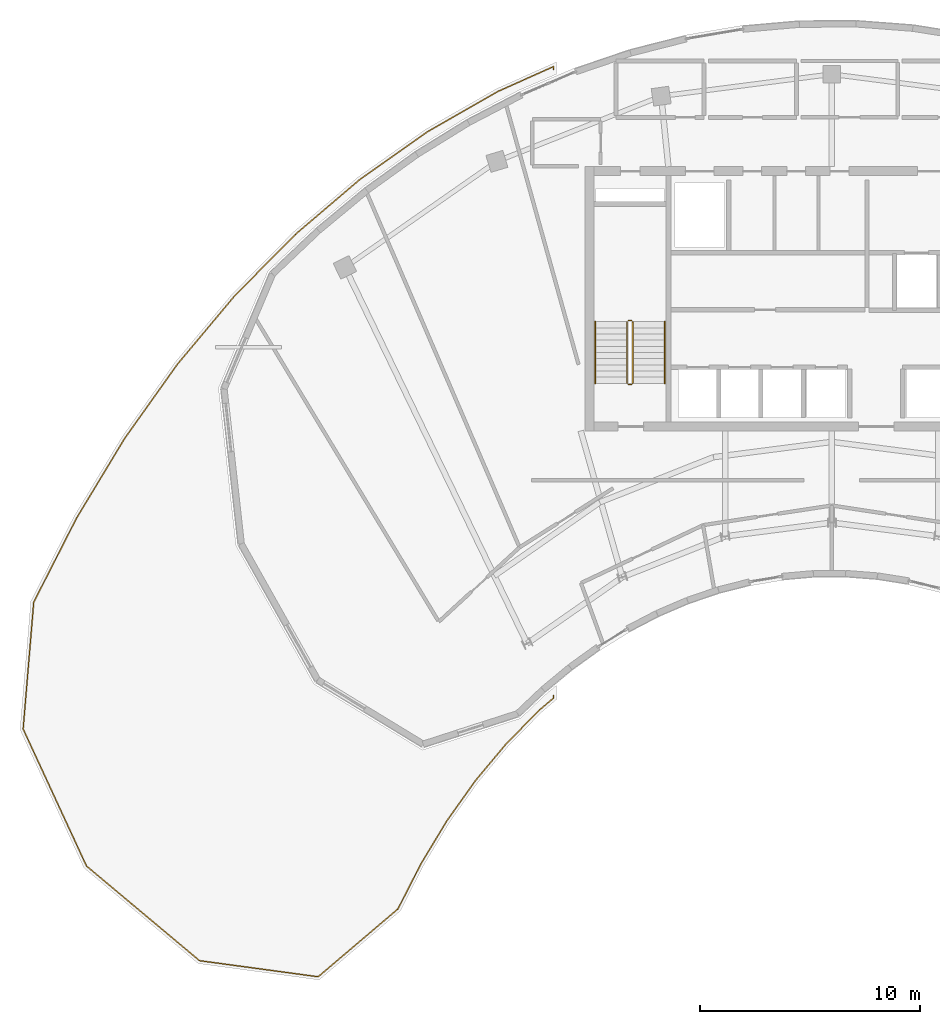
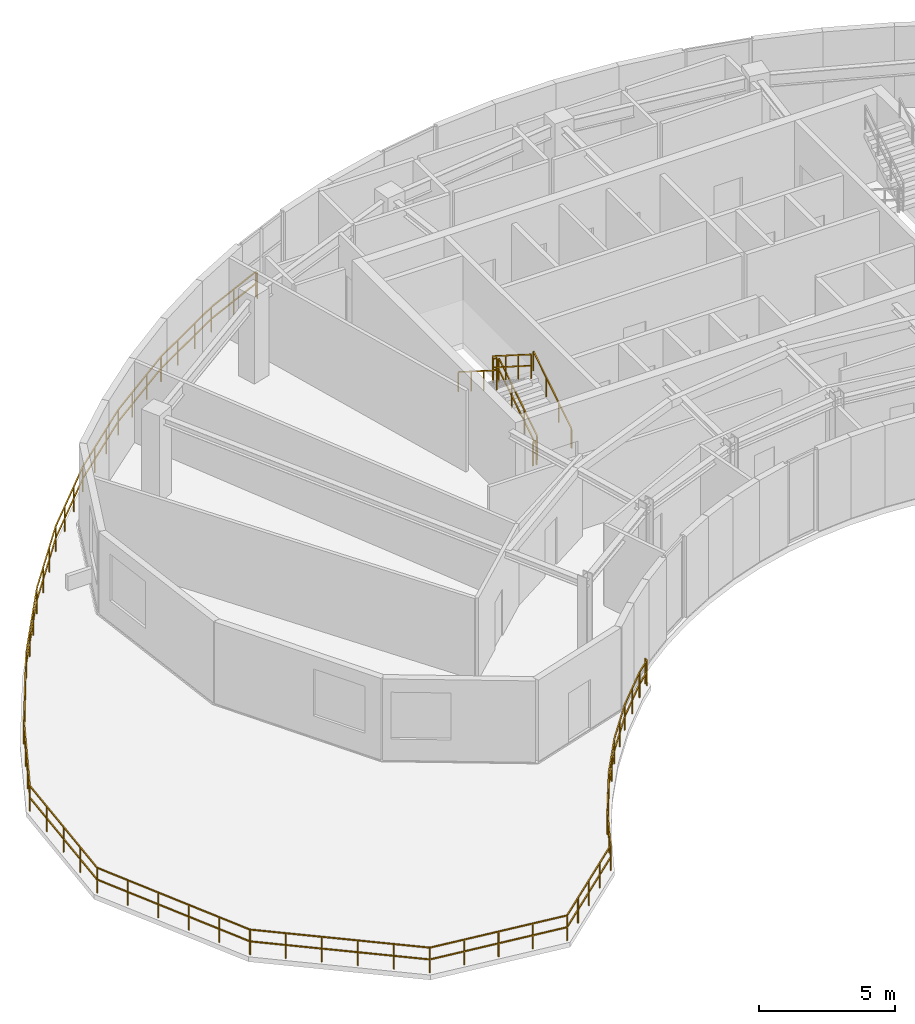
# One storey, part 10 of 11: 10 railings.
"""IFC4 building model written with IfcOpenShell, lengths in metres."""

import ifcopenshell
import ifcopenshell.guid

model = None  # the IFC model being written
_history = None  # IfcOwnerHistory: only IFC2X3 demands one
_inside = {}  # id of a spatial element -> (the spatial element, [elements in it])
_under = {}  # id of a project, library or spatial element -> (it, [spatial elements below it])
_declared = {}  # id of a project -> (the project, [libraries it declares])
_typed = {}  # id of a type object -> (the type object, [elements of that type])
_made_of = {}  # id of a material, layer set ... -> (it, [elements and type objects made of it])


def new_model(schema):
    """Start an empty IFC model of exactly this schema.

    Asked for "IFC4X3", IfcOpenShell would pick the latest addendum, in which some entities
    have other attributes; the version numbers below select the first issue.
    IFC2X3 requires an IfcOwnerHistory on every rooted entity: one is made here for all.
    """
    global model, _history
    if schema == "IFC4X3":
        model = ifcopenshell.file(schema_version=(4, 3, 0, 0))
    else:
        model = ifcopenshell.file(schema=schema)
    _inside.clear()
    _under.clear()
    _declared.clear()
    _typed.clear()
    _made_of.clear()
    _history = None
    if model.schema == "IFC2X3":
        org = make("IfcOrganization", Name="unknown")
        user = make(
            "IfcPersonAndOrganization",
            ThePerson=make("IfcPerson", FamilyName="unknown"),
            TheOrganization=org,
        )
        app = make(
            "IfcApplication",
            ApplicationDeveloper=org,
            Version="unknown",
            ApplicationFullName="unknown",
            ApplicationIdentifier="unknown",
        )
        _history = make(
            "IfcOwnerHistory",
            OwningUser=user,
            OwningApplication=app,
            ChangeAction="ADDED",
            CreationDate=0,
        )
    return model


def make(cls, **values):
    """One entity of the class cls with the attributes given. An attribute that is None is left unset."""
    return model.create_entity(
        cls, **{name: value for name, value in values.items() if value is not None}
    )


def rooted(cls, **values):
    """An entity with a GlobalId (a new one), such as an element, a storey or a relation."""
    return make(cls, GlobalId=ifcopenshell.guid.new(), OwnerHistory=_history, **values)


def si_unit(unit_type, name, prefix=None):
    """IfcSIUnit, for example si_unit("LENGTHUNIT", "METRE", prefix="MILLI")."""
    return make("IfcSIUnit", UnitType=unit_type, Prefix=prefix, Name=name)


def assignment(units):
    """IfcUnitAssignment: the units of a project."""
    return None if units is None else make("IfcUnitAssignment", Units=units)


def point(xyz):
    """IfcCartesianPoint."""
    return None if xyz is None else make("IfcCartesianPoint", Coordinates=xyz)


def direction(xyz):
    """IfcDirection."""
    return None if xyz is None else make("IfcDirection", DirectionRatios=xyz)


def frame(location, z_axis=None, x_axis=None):
    """IfcAxis2Placement3D, a coordinate frame: its origin and axes. An axis left out is left unset."""
    return make(
        "IfcAxis2Placement3D",
        Location=point(location),
        Axis=direction(z_axis),
        RefDirection=direction(x_axis),
    )


def frame_2d(location, x_axis=None):
    """IfcAxis2Placement2D, a coordinate frame in the plane: its origin and x axis."""
    return make(
        "IfcAxis2Placement2D", Location=point(location), RefDirection=direction(x_axis)
    )


def origin():
    """The frame at (0, 0, 0) with its axes left unset."""
    return frame((0.0, 0.0, 0.0))


def origin_2d():
    """The frame at (0, 0) in the plane with its x axis left unset."""
    return frame_2d((0.0, 0.0))


def place(relative_to, where):
    """IfcLocalPlacement: puts the frame where relative to a parent placement (None: the world)."""
    return make(
        "IfcLocalPlacement", PlacementRelTo=relative_to, RelativePlacement=where
    )


def context(
    kind, dimensions, precision=None, world=None, true_north=None, identifier=None
):
    """IfcGeometricRepresentationContext, for example the 3D "Model" context."""
    return make(
        "IfcGeometricRepresentationContext",
        ContextIdentifier=identifier,
        ContextType=kind,
        CoordinateSpaceDimension=dimensions,
        Precision=precision,
        WorldCoordinateSystem=world,
        TrueNorth=true_north,
    )


def subcontext(parent, identifier, kind, view, scale=None):
    """IfcGeometricRepresentationSubContext, for example "Body" below "Model"."""
    return make(
        "IfcGeometricRepresentationSubContext",
        ContextIdentifier=identifier,
        ContextType=kind,
        ParentContext=parent,
        TargetScale=scale,
        TargetView=view,
    )


def project(units=None, contexts=None):
    """IfcProject with its units and contexts."""
    return rooted(
        "IfcProject",
        Name="project",
        RepresentationContexts=contexts,
        UnitsInContext=assignment(units),
    )


def spatial(cls, under=None, at=None, **own):
    """A site, building, storey or space (cls), placed at a placement, below another one or the project."""
    s = rooted(cls, ObjectPlacement=at, **own)
    if under is not None:
        _under.setdefault(under.id(), (under, []))[1].append(s)
    return s


def profile(cls, at=None, kind="AREA", **sizes):
    """A parametric profile (cls). Its sizes go by their IFC names, for example OverallWidth=200.0."""
    return make(cls, ProfileType=kind, Position=at, **sizes)


def rectangle(**sizes):
    """IfcRectangleProfileDef."""
    return profile("IfcRectangleProfileDef", **sizes)


def extrude(swept, where, along, depth):
    """IfcExtrudedAreaSolid: the profile swept, set in the frame where, extruded along a direction by depth."""
    return make(
        "IfcExtrudedAreaSolid",
        SweptArea=swept,
        Position=where,
        ExtrudedDirection=direction(along),
        Depth=depth,
    )


def shape(context_of_items, identifier, shape_type, items):
    """IfcShapeRepresentation: the items that make up one representation, for example the "Body"."""
    return make(
        "IfcShapeRepresentation",
        ContextOfItems=context_of_items,
        RepresentationIdentifier=identifier,
        RepresentationType=shape_type,
        Items=items,
    )


def material(Name=None, Category=None):
    """IfcMaterial."""
    return make("IfcMaterial", Name=Name, Category=Category)


def made_of(thing, what):
    """Note that an element or type object is made of a material, layer set ...; save() writes the relation."""
    if what is not None:
        _made_of.setdefault(what.id(), (what, []))[1].append(thing)
    return thing


def type_object(cls, material=None, **own):
    """A type object (cls), such as IfcWallType, which elements share."""
    return made_of(rooted(cls, **own), material)


def element(
    cls,
    number,
    at=None,
    inside=None,
    cuts=None,
    type_object=None,
    material=None,
    context=None,
    identifier="Body",
    shape_type=None,
    held_by="IfcProductDefinitionShape",
    body=None,
    shapes=None,
    **own,
):
    """One element of the class cls, such as IfcWall. Its Tag is "e" and its number.

    at: its placement. inside: the storey or other place that contains it. cuts: it is an
    opening in that element (IfcRelVoidsElement). A single representation is given by context,
    identifier, shape_type and body (its items); several are given by shapes. held_by: the class
    of the entity that holds the representations. save() writes the other relations.
    """
    e = rooted(cls, Tag="e%d" % number, ObjectPlacement=at, **own)
    if body is not None:
        shapes = [shape(context, identifier, shape_type, body)]
    if shapes is not None:
        e.Representation = make(held_by, Representations=shapes)
    if inside is not None:
        _inside.setdefault(inside.id(), (inside, []))[1].append(e)
    if cuts is not None:
        rooted(
            "IfcRelVoidsElement", RelatingBuildingElement=cuts, RelatedOpeningElement=e
        )
    if type_object is not None:
        _typed.setdefault(type_object.id(), (type_object, []))[1].append(e)
    return made_of(e, material)


def aggregate(whole, parts):
    """IfcRelAggregates: a whole, such as a stair, and the parts it consists of."""
    return rooted("IfcRelAggregates", RelatingObject=whole, RelatedObjects=parts)


def save(model, path):
    """Write the relations noted so far, then the file.

    IfcRelAggregates (storeys below a building ...), IfcRelContainedInSpatialStructure (elements
    in a storey), IfcRelDefinesByType, IfcRelAssociatesMaterial and IfcRelDeclares: one each for
    every whole, place, type object, material and project.
    """
    for whole, parts in _under.values():
        aggregate(whole, parts)
    for where, things in _inside.values():
        rooted(
            "IfcRelContainedInSpatialStructure",
            RelatedElements=things,
            RelatingStructure=where,
        )
    for kind, things in _typed.values():
        rooted("IfcRelDefinesByType", RelatedObjects=things, RelatingType=kind)
    for what, things in _made_of.values():
        rooted("IfcRelAssociatesMaterial", RelatedObjects=things, RelatingMaterial=what)
    for by, libraries in _declared.values():
        rooted("IfcRelDeclares", RelatingContext=by, RelatedDefinitions=libraries)
    model.write(path)


model = new_model("IFC4")

# Units and contexts
model_context = context("Model", 3, precision=1e-05, world=origin(), true_north=direction((0.0, 1.0)))
body_context = subcontext(model_context, "Body", "Model", "MODEL_VIEW")
ifc_project = project(units=[si_unit("LENGTHUNIT", "METRE"), si_unit("AREAUNIT", "SQUARE_METRE"), si_unit("VOLUMEUNIT", "CUBIC_METRE"), si_unit("PLANEANGLEUNIT", "RADIAN"), si_unit("MASSUNIT", "GRAM", prefix="KILO")], contexts=[model_context])

# Site, building, storey
site_placement = place(None, origin())
site = spatial("IfcSite", under=ifc_project, at=site_placement, CompositionType="ELEMENT")
building_placement = place(site_placement, origin())
building = spatial("IfcBuilding", under=site, at=building_placement, Name="Breltana Convention Tower", CompositionType="ELEMENT")
storey_placement = place(building_placement, frame((0.0, 0.0, 275.699951171875)))
storey = spatial("IfcBuildingStorey", under=building, at=storey_placement, Name="L67", CompositionType="ELEMENT", Elevation=275.699951171875)

# Railings
ifc_material_1 = material(Name="Stainless Steel 316L", Category="steel")
railing_type_1 = type_object("IfcRailingType", Name="RL-BALUSTRADE-1150", PredefinedType="BALUSTRADE", material=ifc_material_1)
railing_1_placement = place(storey_placement, frame((34.742431640625, 47.539794921875, 0.0)))
element("IfcRailing", 1, at=railing_1_placement, inside=storey, type_object=railing_type_1, Name="L67 sky terrace outer balustrade 1.0", PredefinedType="BALUSTRADE", context=body_context, shape_type="SweptSolid", body=[
    extrude(rectangle(XDim=0.048095703125, YDim=0.048095703125, at=origin_2d()), frame((0.0, 0.0, 1.1259765625), z_axis=(-0.746295434469, -0.665614846958, 0.0), x_axis=(0.665614846958, -0.746295434469, 0.0)), (0.0, 0.0, 1.0), 0.01220703125),
    extrude(rectangle(XDim=0.048095703125, YDim=0.048095703125, at=origin_2d()), frame((0.0, 0.0, 0.597900390625), z_axis=(-0.746295434469, -0.665614846958, 0.0), x_axis=(0.665614846958, -0.746295434469, 0.0)), (0.0, 0.0, 1.0), 0.01220703125),
    extrude(rectangle(XDim=0.048095703125, YDim=0.048095703125, at=origin_2d()), frame((-0.009033203125, -0.008056640625, 1.1259765625), z_axis=(-0.702676164983, -0.7115098082, 0.0), x_axis=(0.7115098082, -0.702676164983, 0.0)), (0.0, 0.0, 1.0), 2.128173828125),
    extrude(rectangle(XDim=0.048095703125, YDim=0.048095703125, at=origin_2d()), frame((-0.009033203125, -0.008056640625, 0.597900390625), z_axis=(-0.702676164983, -0.7115098082, 0.0), x_axis=(0.7115098082, -0.702676164983, 0.0)), (0.0, 0.0, 1.0), 2.128173828125),
    extrude(rectangle(XDim=0.048095703125, YDim=0.048095703125, at=origin_2d()), frame((-1.50439453125, -1.522216796875, 1.1259765625), z_axis=(-0.674769199545, -0.738028812002, 0.0), x_axis=(0.738028812002, -0.674769199545, 0.0)), (0.0, 0.0, 1.0), 0.011474609375),
    extrude(rectangle(XDim=0.048095703125, YDim=0.048095703125, at=origin_2d()), frame((-1.50439453125, -1.522216796875, 0.597900390625), z_axis=(-0.674769199545, -0.738028812002, 0.0), x_axis=(0.738028812002, -0.674769199545, 0.0)), (0.0, 0.0, 1.0), 0.011474609375),
    extrude(rectangle(XDim=0.048095703125, YDim=0.048095703125, at=origin_2d()), frame((-1.51220703125, -1.53076171875, 1.1259765625), z_axis=(-0.641714565167, -0.766943555193, 0.0), x_axis=(0.766943555193, -0.641714565167, 0.0)), (0.0, 0.0, 1.0), 2.1796875),
    extrude(rectangle(XDim=0.048095703125, YDim=0.048095703125, at=origin_2d()), frame((-1.51220703125, -1.53076171875, 0.597900390625), z_axis=(-0.641714565167, -0.766943555193, 0.0), x_axis=(0.766943555193, -0.641714565167, 0.0)), (0.0, 0.0, 1.0), 2.1796875),
    extrude(rectangle(XDim=0.048095703125, YDim=0.048095703125, at=origin_2d()), frame((-2.910888671875, -3.202392578125, 1.1259765625), z_axis=(-0.624695047554, -0.780868809443, 0.0), x_axis=(0.780868809443, -0.624695047554, 0.0)), (0.0, 0.0, 1.0), 0.010986328125),
    extrude(rectangle(XDim=0.048095703125, YDim=0.048095703125, at=origin_2d()), frame((-2.910888671875, -3.202392578125, 0.597900390625), z_axis=(-0.624695047554, -0.780868809443, 0.0), x_axis=(0.780868809443, -0.624695047554, 0.0)), (0.0, 0.0, 1.0), 0.010986328125),
    extrude(rectangle(XDim=0.048095703125, YDim=0.048095703125, at=origin_2d()), frame((-2.917724609375, -3.2109375, 1.1259765625), z_axis=(-0.579549627569, -0.814936947981, 0.0), x_axis=(0.814936947981, -0.579549627569, 0.0)), (0.0, 0.0, 1.0), 2.23095703125),
    extrude(rectangle(XDim=0.048095703125, YDim=0.048095703125, at=origin_2d()), frame((-2.917724609375, -3.2109375, 0.597900390625), z_axis=(-0.579549627569, -0.814936947981, 0.0), x_axis=(0.814936947981, -0.579549627569, 0.0)), (0.0, 0.0, 1.0), 2.23095703125),
    extrude(rectangle(XDim=0.048095703125, YDim=0.048095703125, at=origin_2d()), frame((-4.210693359375, -5.029052734375, 1.1259765625), z_axis=(-0.565528355552, -0.824728851846, 0.0), x_axis=(0.824728851846, -0.565528355552, 0.0)), (0.0, 0.0, 1.0), 0.01025390625),
    extrude(rectangle(XDim=0.048095703125, YDim=0.048095703125, at=origin_2d()), frame((-4.210693359375, -5.029052734375, 0.597900390625), z_axis=(-0.565528355552, -0.824728851846, 0.0), x_axis=(0.824728851846, -0.565528355552, 0.0)), (0.0, 0.0, 1.0), 0.01025390625),
    extrude(rectangle(XDim=0.048095703125, YDim=0.048095703125, at=origin_2d()), frame((-4.216552734375, -5.03759765625, 1.1259765625), z_axis=(-0.516792132698, -0.856110910795, 0.0), x_axis=(0.856110910795, -0.516792132698, 0.0)), (0.0, 0.0, 1.0), 2.28076171875),
    extrude(rectangle(XDim=0.048095703125, YDim=0.048095703125, at=origin_2d()), frame((-4.216552734375, -5.03759765625, 0.597900390625), z_axis=(-0.516792132698, -0.856110910795, 0.0), x_axis=(0.856110910795, -0.516792132698, 0.0)), (0.0, 0.0, 1.0), 2.28076171875),
    extrude(rectangle(XDim=0.048095703125, YDim=0.048095703125, at=origin_2d()), frame((-5.395263671875, -6.990234375, 1.1259765625), z_axis=(-0.485642931179, -0.874157276122, 0.0), x_axis=(0.874157276122, -0.485642931179, 0.0)), (0.0, 0.0, 1.0), 0.010009765625),
    extrude(rectangle(XDim=0.048095703125, YDim=0.048095703125, at=origin_2d()), frame((-5.395263671875, -6.990234375, 0.597900390625), z_axis=(-0.485642931179, -0.874157276122, 0.0), x_axis=(0.874157276122, -0.485642931179, 0.0)), (0.0, 0.0, 1.0), 0.010009765625),
    extrude(rectangle(XDim=0.048095703125, YDim=0.048095703125, at=origin_2d()), frame((-5.400146484375, -6.9990234375, 1.1259765625), z_axis=(-0.454037096587, -0.890982780374, 0.0), x_axis=(0.890982780374, -0.454037096587, 0.0)), (0.0, 0.0, 1.0), 2.2998046875),
    extrude(rectangle(XDim=0.048095703125, YDim=0.048095703125, at=origin_2d()), frame((-5.400146484375, -6.9990234375, 0.597900390625), z_axis=(-0.454037096587, -0.890982780374, 0.0), x_axis=(0.890982780374, -0.454037096587, 0.0)), (0.0, 0.0, 1.0), 2.2998046875),
    extrude(rectangle(XDim=0.0419921875, YDim=0.0419921875, at=origin_2d()), origin(), (0.0, 0.0, 1.0), 1.101806640625),
    extrude(rectangle(XDim=0.0419921875, YDim=0.0419921875, at=origin_2d()), frame((-0.009033203125, -0.008056640625, 0.0)), (0.0, 0.0, 1.0), 1.101806640625),
    extrude(rectangle(XDim=0.0419921875, YDim=0.0419921875, at=origin_2d()), frame((-0.7568359375, -0.76513671875, 0.0)), (0.0, 0.0, 1.0), 1.101806640625),
    extrude(rectangle(XDim=0.0419921875, YDim=0.0419921875, at=origin_2d()), frame((-1.50439453125, -1.522216796875, 0.0)), (0.0, 0.0, 1.0), 1.101806640625),
    extrude(rectangle(XDim=0.0419921875, YDim=0.0419921875, at=origin_2d()), frame((-1.51220703125, -1.53076171875, 0.0)), (0.0, 0.0, 1.0), 1.101806640625),
    extrude(rectangle(XDim=0.0419921875, YDim=0.0419921875, at=origin_2d()), frame((-2.21142578125, -2.36669921875, 0.0)), (0.0, 0.0, 1.0), 1.101806640625),
    extrude(rectangle(XDim=0.0419921875, YDim=0.0419921875, at=origin_2d()), frame((-2.910888671875, -3.202392578125, 0.0)), (0.0, 0.0, 1.0), 1.101806640625),
    extrude(rectangle(XDim=0.0419921875, YDim=0.0419921875, at=origin_2d()), frame((-2.917724609375, -3.2109375, 0.0)), (0.0, 0.0, 1.0), 1.101806640625),
    extrude(rectangle(XDim=0.0419921875, YDim=0.0419921875, at=origin_2d()), frame((-3.564208984375, -4.1201171875, 0.0)), (0.0, 0.0, 1.0), 1.101806640625),
    extrude(rectangle(XDim=0.0419921875, YDim=0.0419921875, at=origin_2d()), frame((-4.210693359375, -5.029052734375, 0.0)), (0.0, 0.0, 1.0), 1.101806640625),
    extrude(rectangle(XDim=0.0419921875, YDim=0.0419921875, at=origin_2d()), frame((-4.216552734375, -5.03759765625, 0.0)), (0.0, 0.0, 1.0), 1.101806640625),
    extrude(rectangle(XDim=0.0419921875, YDim=0.0419921875, at=origin_2d()), frame((-4.805908203125, -6.013916015625, 0.0)), (0.0, 0.0, 1.0), 1.101806640625),
    extrude(rectangle(XDim=0.0419921875, YDim=0.0419921875, at=origin_2d()), frame((-5.395263671875, -6.990234375, 0.0)), (0.0, 0.0, 1.0), 1.101806640625),
    extrude(rectangle(XDim=0.0419921875, YDim=0.0419921875, at=origin_2d()), frame((-5.400146484375, -6.9990234375, 0.0)), (0.0, 0.0, 1.0), 1.101806640625),
    extrude(rectangle(XDim=0.0419921875, YDim=0.0419921875, at=origin_2d()), frame((-5.92236328125, -8.0234375, 0.0)), (0.0, 0.0, 1.0), 1.101806640625),
    extrude(rectangle(XDim=0.0419921875, YDim=0.0419921875, at=origin_2d()), frame((-6.4443359375, -9.048095703125, 0.0)), (0.0, 0.0, 1.0), 1.101806640625),
])
railing_2_placement = place(storey_placement, frame((28.298095703125, 38.49169921875, 0.0)))
element("IfcRailing", 2, at=railing_2_placement, inside=storey, type_object=railing_type_1, Name="L67 sky terrace outer balustrade 1.10", PredefinedType="BALUSTRADE", context=body_context, shape_type="SweptSolid", body=[
    extrude(rectangle(XDim=0.048095703125, YDim=0.048095703125, at=origin_2d()), frame((0.0, 0.0, 1.1259765625), z_axis=(-0.761883608803, -0.647713954332, 0.0), x_axis=(0.647713954332, -0.761883608803, 0.0)), (0.0, 0.0, 1.0), 4.758056640625),
    extrude(rectangle(XDim=0.048095703125, YDim=0.048095703125, at=origin_2d()), frame((0.0, 0.0, 0.597900390625), z_axis=(-0.761883608803, -0.647713954332, 0.0), x_axis=(0.647713954332, -0.761883608803, 0.0)), (0.0, 0.0, 1.0), 4.758056640625),
    extrude(rectangle(XDim=0.048095703125, YDim=0.048095703125, at=origin_2d()), frame((-3.625, -3.081787109375, 1.1259765625), z_axis=(-0.990927730321, 0.134395808268, 0.0), x_axis=(-0.134395808268, -0.990927730321, 0.0)), (0.0, 0.0, 1.0), 5.43701171875),
    extrude(rectangle(XDim=0.048095703125, YDim=0.048095703125, at=origin_2d()), frame((-3.625, -3.081787109375, 0.597900390625), z_axis=(-0.990927730321, 0.134395808268, 0.0), x_axis=(-0.134395808268, -0.990927730321, 0.0)), (0.0, 0.0, 1.0), 5.43701171875),
    extrude(rectangle(XDim=0.048095703125, YDim=0.048095703125, at=origin_2d()), frame((-9.0126953125, -2.35107421875, 1.1259765625), z_axis=(-0.766718856289, 0.641983018008, 0.0), x_axis=(-0.641983018008, -0.766718856289, 0.0)), (0.0, 0.0, 1.0), 6.69580078125),
    extrude(rectangle(XDim=0.048095703125, YDim=0.048095703125, at=origin_2d()), frame((-9.0126953125, -2.35107421875, 0.597900390625), z_axis=(-0.766718856289, 0.641983018008, 0.0), x_axis=(-0.641983018008, -0.766718856289, 0.0)), (0.0, 0.0, 1.0), 6.69580078125),
    extrude(rectangle(XDim=0.048095703125, YDim=0.048095703125, at=origin_2d()), frame((-14.146484375, 1.947509765625, 1.1259765625), z_axis=(-0.419629370941, 0.907695538737, 0.0), x_axis=(-0.907695538737, -0.419629370941, 0.0)), (0.0, 0.0, 1.0), 6.8564453125),
    extrude(rectangle(XDim=0.048095703125, YDim=0.048095703125, at=origin_2d()), frame((-14.146484375, 1.947509765625, 0.597900390625), z_axis=(-0.419629370941, 0.907695538737, 0.0), x_axis=(-0.907695538737, -0.419629370941, 0.0)), (0.0, 0.0, 1.0), 6.8564453125),
    extrude(rectangle(XDim=0.048095703125, YDim=0.048095703125, at=origin_2d()), frame((-17.023681640625, 8.171142578125, 1.1259765625), z_axis=(0.083279641483, 0.996526217073, 0.0), x_axis=(-0.996526217073, 0.083279641483, 0.0)), (0.0, 0.0, 1.0), 5.781005859375),
    extrude(rectangle(XDim=0.048095703125, YDim=0.048095703125, at=origin_2d()), frame((-17.023681640625, 8.171142578125, 0.597900390625), z_axis=(0.083279641483, 0.996526217073, 0.0), x_axis=(-0.996526217073, 0.083279641483, 0.0)), (0.0, 0.0, 1.0), 5.781005859375),
    extrude(rectangle(XDim=0.048095703125, YDim=0.048095703125, at=origin_2d()), frame((-16.542236328125, 13.93212890625, 1.1259765625), z_axis=(0.454051072926, 0.890975658014, 0.0), x_axis=(-0.890975658014, 0.454051072926, 0.0)), (0.0, 0.0, 1.0), 4.290771484375),
    extrude(rectangle(XDim=0.048095703125, YDim=0.048095703125, at=origin_2d()), frame((-16.542236328125, 13.93212890625, 0.597900390625), z_axis=(0.454051072926, 0.890975658014, 0.0), x_axis=(-0.890975658014, 0.454051072926, 0.0)), (0.0, 0.0, 1.0), 4.290771484375),
    extrude(rectangle(XDim=0.048095703125, YDim=0.048095703125, at=origin_2d()), frame((-14.593994140625, 17.755126953125, 1.1259765625), z_axis=(0.516847527242, 0.856077469382, 0.0), x_axis=(-0.856077469382, 0.516847527242, 0.0)), (0.0, 0.0, 1.0), 4.225341796875),
    extrude(rectangle(XDim=0.048095703125, YDim=0.048095703125, at=origin_2d()), frame((-14.593994140625, 17.755126953125, 0.597900390625), z_axis=(0.516847527242, 0.856077469382, 0.0), x_axis=(-0.856077469382, 0.516847527242, 0.0)), (0.0, 0.0, 1.0), 4.225341796875),
    extrude(rectangle(XDim=0.048095703125, YDim=0.048095703125, at=origin_2d()), frame((-12.41015625, 21.372314453125, 1.1259765625), z_axis=(0.579627543533, 0.814881531745, 0.0), x_axis=(-0.814881531745, 0.579627543533, 0.0)), (0.0, 0.0, 1.0), 4.13232421875),
    extrude(rectangle(XDim=0.048095703125, YDim=0.048095703125, at=origin_2d()), frame((-12.41015625, 21.372314453125, 0.597900390625), z_axis=(0.579627543533, 0.814881531745, 0.0), x_axis=(-0.814881531745, 0.579627543533, 0.0)), (0.0, 0.0, 1.0), 4.13232421875),
    extrude(rectangle(XDim=0.048095703125, YDim=0.048095703125, at=origin_2d()), frame((-10.014892578125, 24.73974609375, 1.1259765625), z_axis=(0.641765466313, 0.766900962477, 0.0), x_axis=(-0.766900962477, 0.641765466313, 0.0)), (0.0, 0.0, 1.0), 4.03662109375),
    extrude(rectangle(XDim=0.048095703125, YDim=0.048095703125, at=origin_2d()), frame((-10.014892578125, 24.73974609375, 0.597900390625), z_axis=(0.641765466313, 0.766900962477, 0.0), x_axis=(-0.766900962477, 0.641765466313, 0.0)), (0.0, 0.0, 1.0), 4.03662109375),
    extrude(rectangle(XDim=0.048095703125, YDim=0.048095703125, at=origin_2d()), frame((-7.42431640625, 27.83544921875, 1.1259765625), z_axis=(0.702693901783, 0.711492291172, 0.0), x_axis=(-0.711492291172, 0.702693901783, 0.0)), (0.0, 0.0, 1.0), 3.940185546875),
    extrude(rectangle(XDim=0.048095703125, YDim=0.048095703125, at=origin_2d()), frame((-7.42431640625, 27.83544921875, 0.597900390625), z_axis=(0.702693901783, 0.711492291172, 0.0), x_axis=(-0.711492291172, 0.702693901783, 0.0)), (0.0, 0.0, 1.0), 3.940185546875),
    extrude(rectangle(XDim=0.0419921875, YDim=0.0419921875, at=origin_2d()), origin(), (0.0, 0.0, 1.0), 1.101806640625),
    extrude(rectangle(XDim=0.0419921875, YDim=0.0419921875, at=origin_2d()), frame((-0.90625, -0.7705078125, 0.0)), (0.0, 0.0, 1.0), 1.101806640625),
    extrude(rectangle(XDim=0.0419921875, YDim=0.0419921875, at=origin_2d()), frame((-1.8125, -1.541015625, 0.0)), (0.0, 0.0, 1.0), 1.101806640625),
    extrude(rectangle(XDim=0.0419921875, YDim=0.0419921875, at=origin_2d()), frame((-2.71875, -2.311279296875, 0.0)), (0.0, 0.0, 1.0), 1.101806640625),
    extrude(rectangle(XDim=0.0419921875, YDim=0.0419921875, at=origin_2d()), frame((-3.625, -3.081787109375, 0.0)), (0.0, 0.0, 1.0), 1.101806640625),
    extrude(rectangle(XDim=0.0419921875, YDim=0.0419921875, at=origin_2d()), frame((-4.971923828125, -2.899169921875, 0.0)), (0.0, 0.0, 1.0), 1.101806640625),
    extrude(rectangle(XDim=0.0419921875, YDim=0.0419921875, at=origin_2d()), frame((-6.31884765625, -2.71630859375, 0.0)), (0.0, 0.0, 1.0), 1.101806640625),
    extrude(rectangle(XDim=0.0419921875, YDim=0.0419921875, at=origin_2d()), frame((-7.665771484375, -2.53369140625, 0.0)), (0.0, 0.0, 1.0), 1.101806640625),
    extrude(rectangle(XDim=0.0419921875, YDim=0.0419921875, at=origin_2d()), frame((-9.0126953125, -2.35107421875, 0.0)), (0.0, 0.0, 1.0), 1.101806640625),
    extrude(rectangle(XDim=0.0419921875, YDim=0.0419921875, at=origin_2d()), frame((-10.03955078125, -1.491455078125, 0.0)), (0.0, 0.0, 1.0), 1.101806640625),
    extrude(rectangle(XDim=0.0419921875, YDim=0.0419921875, at=origin_2d()), frame((-11.066162109375, -0.631591796875, 0.0)), (0.0, 0.0, 1.0), 1.101806640625),
    extrude(rectangle(XDim=0.0419921875, YDim=0.0419921875, at=origin_2d()), frame((-12.093017578125, 0.22802734375, 0.0)), (0.0, 0.0, 1.0), 1.101806640625),
    extrude(rectangle(XDim=0.0419921875, YDim=0.0419921875, at=origin_2d()), frame((-13.11962890625, 1.087890625, 0.0)), (0.0, 0.0, 1.0), 1.101806640625),
    extrude(rectangle(XDim=0.0419921875, YDim=0.0419921875, at=origin_2d()), frame((-14.146484375, 1.947509765625, 0.0)), (0.0, 0.0, 1.0), 1.101806640625),
    extrude(rectangle(XDim=0.0419921875, YDim=0.0419921875, at=origin_2d()), frame((-14.721923828125, 3.192138671875, 0.0)), (0.0, 0.0, 1.0), 1.101806640625),
    extrude(rectangle(XDim=0.0419921875, YDim=0.0419921875, at=origin_2d()), frame((-15.29736328125, 4.43701171875, 0.0)), (0.0, 0.0, 1.0), 1.101806640625),
    extrude(rectangle(XDim=0.0419921875, YDim=0.0419921875, at=origin_2d()), frame((-15.872802734375, 5.681640625, 0.0)), (0.0, 0.0, 1.0), 1.101806640625),
    extrude(rectangle(XDim=0.0419921875, YDim=0.0419921875, at=origin_2d()), frame((-16.4482421875, 6.926513671875, 0.0)), (0.0, 0.0, 1.0), 1.101806640625),
    extrude(rectangle(XDim=0.0419921875, YDim=0.0419921875, at=origin_2d()), frame((-17.023681640625, 8.171142578125, 0.0)), (0.0, 0.0, 1.0), 1.101806640625),
    extrude(rectangle(XDim=0.0419921875, YDim=0.0419921875, at=origin_2d()), frame((-16.9033203125, 9.611328125, 0.0)), (0.0, 0.0, 1.0), 1.101806640625),
    extrude(rectangle(XDim=0.0419921875, YDim=0.0419921875, at=origin_2d()), frame((-16.782958984375, 11.0517578125, 0.0)), (0.0, 0.0, 1.0), 1.101806640625),
    extrude(rectangle(XDim=0.0419921875, YDim=0.0419921875, at=origin_2d()), frame((-16.66259765625, 12.491943359375, 0.0)), (0.0, 0.0, 1.0), 1.101806640625),
    extrude(rectangle(XDim=0.0419921875, YDim=0.0419921875, at=origin_2d()), frame((-16.542236328125, 13.93212890625, 0.0)), (0.0, 0.0, 1.0), 1.101806640625),
    extrude(rectangle(XDim=0.0419921875, YDim=0.0419921875, at=origin_2d()), frame((-15.892822265625, 15.20654296875, 0.0)), (0.0, 0.0, 1.0), 1.101806640625),
    extrude(rectangle(XDim=0.0419921875, YDim=0.0419921875, at=origin_2d()), frame((-15.243408203125, 16.480712890625, 0.0)), (0.0, 0.0, 1.0), 1.101806640625),
    extrude(rectangle(XDim=0.0419921875, YDim=0.0419921875, at=origin_2d()), frame((-14.593994140625, 17.755126953125, 0.0)), (0.0, 0.0, 1.0), 1.101806640625),
    extrude(rectangle(XDim=0.0419921875, YDim=0.0419921875, at=origin_2d()), frame((-13.865966796875, 18.9609375, 0.0)), (0.0, 0.0, 1.0), 1.101806640625),
    extrude(rectangle(XDim=0.0419921875, YDim=0.0419921875, at=origin_2d()), frame((-13.13818359375, 20.16650390625, 0.0)), (0.0, 0.0, 1.0), 1.101806640625),
    extrude(rectangle(XDim=0.0419921875, YDim=0.0419921875, at=origin_2d()), frame((-12.41015625, 21.372314453125, 0.0)), (0.0, 0.0, 1.0), 1.101806640625),
    extrude(rectangle(XDim=0.0419921875, YDim=0.0419921875, at=origin_2d()), frame((-11.61181640625, 22.494873046875, 0.0)), (0.0, 0.0, 1.0), 1.101806640625),
    extrude(rectangle(XDim=0.0419921875, YDim=0.0419921875, at=origin_2d()), frame((-10.813232421875, 23.6171875, 0.0)), (0.0, 0.0, 1.0), 1.101806640625),
    extrude(rectangle(XDim=0.0419921875, YDim=0.0419921875, at=origin_2d()), frame((-10.014892578125, 24.73974609375, 0.0)), (0.0, 0.0, 1.0), 1.101806640625),
    extrude(rectangle(XDim=0.0419921875, YDim=0.0419921875, at=origin_2d()), frame((-9.1513671875, 25.771728515625, 0.0)), (0.0, 0.0, 1.0), 1.101806640625),
    extrude(rectangle(XDim=0.0419921875, YDim=0.0419921875, at=origin_2d()), frame((-8.287841796875, 26.803466796875, 0.0)), (0.0, 0.0, 1.0), 1.101806640625),
    extrude(rectangle(XDim=0.0419921875, YDim=0.0419921875, at=origin_2d()), frame((-7.42431640625, 27.83544921875, 0.0)), (0.0, 0.0, 1.0), 1.101806640625),
    extrude(rectangle(XDim=0.0419921875, YDim=0.0419921875, at=origin_2d()), frame((-6.50146484375, 28.77001953125, 0.0)), (0.0, 0.0, 1.0), 1.101806640625),
    extrude(rectangle(XDim=0.0419921875, YDim=0.0419921875, at=origin_2d()), frame((-5.578369140625, 29.704345703125, 0.0)), (0.0, 0.0, 1.0), 1.101806640625),
    extrude(rectangle(XDim=0.0419921875, YDim=0.0419921875, at=origin_2d()), frame((-4.655517578125, 30.638916015625, 0.0)), (0.0, 0.0, 1.0), 1.101806640625),
])
railing_3_placement = place(storey_placement, frame((23.642578125, 69.130615234375, 0.0)))
element("IfcRailing", 3, at=railing_3_placement, inside=storey, type_object=railing_type_1, Name="L67 sky terrace outer balustrade 1.20", PredefinedType="BALUSTRADE", context=body_context, shape_type="SweptSolid", body=[
    extrude(rectangle(XDim=0.048095703125, YDim=0.048095703125, at=origin_2d()), frame((0.0, 0.0, 1.1259765625), z_axis=(0.761492720434, 0.648173461912, 0.0), x_axis=(-0.648173461912, 0.761492720434, 0.0)), (0.0, 0.0, 1.0), 3.845703125),
    extrude(rectangle(XDim=0.048095703125, YDim=0.048095703125, at=origin_2d()), frame((0.0, 0.0, 0.597900390625), z_axis=(0.761492720434, 0.648173461912, 0.0), x_axis=(-0.648173461912, 0.761492720434, 0.0)), (0.0, 0.0, 1.0), 3.845703125),
    extrude(rectangle(XDim=0.048095703125, YDim=0.048095703125, at=origin_2d()), frame((2.928466796875, 2.49267578125, 1.1259765625), z_axis=(0.81701829297, 0.576611748885, 0.0), x_axis=(-0.576611748885, 0.81701829297, 0.0)), (0.0, 0.0, 1.0), 3.75634765625),
    extrude(rectangle(XDim=0.048095703125, YDim=0.048095703125, at=origin_2d()), frame((2.928466796875, 2.49267578125, 0.597900390625), z_axis=(0.81701829297, 0.576611748885, 0.0), x_axis=(-0.576611748885, 0.81701829297, 0.0)), (0.0, 0.0, 1.0), 3.75634765625),
    extrude(rectangle(XDim=0.048095703125, YDim=0.048095703125, at=origin_2d()), frame((5.99755859375, 4.65869140625, 1.1259765625), z_axis=(0.867915860383, 0.496711243376, 0.0), x_axis=(-0.496711243376, 0.867915860383, 0.0)), (0.0, 0.0, 1.0), 3.674560546875),
    extrude(rectangle(XDim=0.048095703125, YDim=0.048095703125, at=origin_2d()), frame((5.99755859375, 4.65869140625, 0.597900390625), z_axis=(0.867915860383, 0.496711243376, 0.0), x_axis=(-0.496711243376, 0.867915860383, 0.0)), (0.0, 0.0, 1.0), 3.674560546875),
    extrude(rectangle(XDim=0.048095703125, YDim=0.048095703125, at=origin_2d()), frame((9.186767578125, 6.48388671875, 1.1259765625), z_axis=(0.912733585735, 0.40855526122, 0.0), x_axis=(-0.40855526122, 0.912733585735, 0.0)), (0.0, 0.0, 1.0), 2.772705078125),
    extrude(rectangle(XDim=0.048095703125, YDim=0.048095703125, at=origin_2d()), frame((9.186767578125, 6.48388671875, 0.597900390625), z_axis=(0.912733585735, 0.40855526122, 0.0), x_axis=(-0.40855526122, 0.912733585735, 0.0)), (0.0, 0.0, 1.0), 2.772705078125),
    extrude(rectangle(XDim=0.048095703125, YDim=0.048095703125, at=origin_2d()), frame((11.717529296875, 7.61669921875, 1.1259765625), z_axis=(0.0, -1.0, 0.0), x_axis=(1.0, 0.0, 0.0)), (0.0, 0.0, 1.0), 0.12255859375),
    extrude(rectangle(XDim=0.048095703125, YDim=0.048095703125, at=origin_2d()), frame((11.717529296875, 7.61669921875, 0.597900390625), z_axis=(0.0, -1.0, 0.0), x_axis=(1.0, 0.0, 0.0)), (0.0, 0.0, 1.0), 0.12255859375),
    extrude(rectangle(XDim=0.0419921875, YDim=0.0419921875, at=origin_2d()), origin(), (0.0, 0.0, 1.0), 1.101806640625),
    extrude(rectangle(XDim=0.0419921875, YDim=0.0419921875, at=origin_2d()), frame((0.97607421875, 0.830810546875, 0.0)), (0.0, 0.0, 1.0), 1.101806640625),
    extrude(rectangle(XDim=0.0419921875, YDim=0.0419921875, at=origin_2d()), frame((1.952392578125, 1.661865234375, 0.0)), (0.0, 0.0, 1.0), 1.101806640625),
    extrude(rectangle(XDim=0.0419921875, YDim=0.0419921875, at=origin_2d()), frame((2.928466796875, 2.49267578125, 0.0)), (0.0, 0.0, 1.0), 1.101806640625),
    extrude(rectangle(XDim=0.0419921875, YDim=0.0419921875, at=origin_2d()), frame((3.951416015625, 3.214599609375, 0.0)), (0.0, 0.0, 1.0), 1.101806640625),
    extrude(rectangle(XDim=0.0419921875, YDim=0.0419921875, at=origin_2d()), frame((4.974609375, 3.936767578125, 0.0)), (0.0, 0.0, 1.0), 1.101806640625),
    extrude(rectangle(XDim=0.0419921875, YDim=0.0419921875, at=origin_2d()), frame((5.99755859375, 4.65869140625, 0.0)), (0.0, 0.0, 1.0), 1.101806640625),
    extrude(rectangle(XDim=0.0419921875, YDim=0.0419921875, at=origin_2d()), frame((7.060546875, 5.26708984375, 0.0)), (0.0, 0.0, 1.0), 1.101806640625),
    extrude(rectangle(XDim=0.0419921875, YDim=0.0419921875, at=origin_2d()), frame((8.123779296875, 5.87548828125, 0.0)), (0.0, 0.0, 1.0), 1.101806640625),
    extrude(rectangle(XDim=0.0419921875, YDim=0.0419921875, at=origin_2d()), frame((9.186767578125, 6.48388671875, 0.0)), (0.0, 0.0, 1.0), 1.101806640625),
    extrude(rectangle(XDim=0.0419921875, YDim=0.0419921875, at=origin_2d()), frame((10.4521484375, 7.05029296875, 0.0)), (0.0, 0.0, 1.0), 1.101806640625),
    extrude(rectangle(XDim=0.0419921875, YDim=0.0419921875, at=origin_2d()), frame((11.717529296875, 7.61669921875, 0.0)), (0.0, 0.0, 1.0), 1.101806640625),
    extrude(rectangle(XDim=0.0419921875, YDim=0.0419921875, at=origin_2d()), frame((11.717529296875, 7.494140625, 0.0)), (0.0, 0.0, 1.0), 1.101806640625),
])
railing_4_placement = place(storey_placement, frame((35.360107421875, 48.196044921875, 0.0)))
element("IfcRailing", 4, at=railing_4_placement, inside=storey, type_object=railing_type_1, Name="L67 sky terrace outer balustrade 2.0", PredefinedType="BALUSTRADE", context=body_context, shape_type="SweptSolid", body=[
    extrude(rectangle(XDim=0.048095703125, YDim=0.048095703125, at=origin_2d()), frame((0.0, 0.0, 1.1259765625), z_axis=(0.0, -1.0, 0.0), x_axis=(1.0, 0.0, 0.0)), (0.0, 0.0, 1.0), 0.13037109375),
    extrude(rectangle(XDim=0.048095703125, YDim=0.048095703125, at=origin_2d()), frame((0.0, 0.0, 0.597900390625), z_axis=(0.0, -1.0, 0.0), x_axis=(1.0, 0.0, 0.0)), (0.0, 0.0, 1.0), 0.13037109375),
    extrude(rectangle(XDim=0.048095703125, YDim=0.048095703125, at=origin_2d()), frame((0.0, -0.13037109375, 1.1259765625), z_axis=(-0.761419278569, -0.648259733612, 0.0), x_axis=(0.648259733612, -0.761419278569, 0.0)), (0.0, 0.0, 1.0), 0.811279296875),
    extrude(rectangle(XDim=0.048095703125, YDim=0.048095703125, at=origin_2d()), frame((0.0, -0.13037109375, 0.597900390625), z_axis=(-0.761419278569, -0.648259733612, 0.0), x_axis=(0.648259733612, -0.761419278569, 0.0)), (0.0, 0.0, 1.0), 0.811279296875),
    extrude(rectangle(XDim=0.0419921875, YDim=0.0419921875, at=origin_2d()), origin(), (0.0, 0.0, 1.0), 1.101806640625),
    extrude(rectangle(XDim=0.0419921875, YDim=0.0419921875, at=origin_2d()), frame((0.0, -0.13037109375, 0.0)), (0.0, 0.0, 1.0), 1.101806640625),
    extrude(rectangle(XDim=0.0419921875, YDim=0.0419921875, at=origin_2d()), frame((-0.61767578125, -0.65625, 0.0)), (0.0, 0.0, 1.0), 1.101806640625),
])
ifc_material_2 = material(Name="Steel S275 Painted", Category="steel")
railing_type_2 = type_object("IfcRailingType", Name="RL-STAIR-GUARD-1100", PredefinedType="GUARDRAIL", material=ifc_material_2)
railing_5_placement = place(storey_placement, frame((38.9599609375, 62.360107421875, 0.17724609375)))
element("IfcRailing", 5, at=railing_5_placement, inside=storey, type_object=railing_type_2, Name="L67 ST-1 stair guard 1", PredefinedType="GUARDRAIL", context=body_context, shape_type="SweptSolid", body=[
    extrude(rectangle(XDim=0.048095703125, YDim=0.048095703125, at=origin_2d()), frame((0.0, 0.0, 1.076171875), z_axis=(0.0, 0.844887892834, 0.53494340686), x_axis=(-1.0, 0.0, 0.0)), (0.0, 0.0, 1.0), 3.313720703125),
    extrude(rectangle(XDim=0.048095703125, YDim=0.048095703125, at=origin_2d()), frame((0.0, 0.0, 0.572021484375), z_axis=(0.0, 0.844887892834, 0.53494340686), x_axis=(-1.0, 0.0, 0.0)), (0.0, 0.0, 1.0), 3.313720703125),
    extrude(rectangle(XDim=0.0419921875, YDim=0.0419921875, at=origin_2d()), origin(), (0.0, 0.0, 1.0), 1.052001953125),
    extrude(rectangle(XDim=0.0419921875, YDim=0.0419921875, at=origin_2d()), frame((0.0, 0.933349609375, 0.5908203125)), (0.0, 0.0, 1.0), 1.052001953125),
    extrude(rectangle(XDim=0.0419921875, YDim=0.0419921875, at=origin_2d()), frame((0.0, 1.866455078125, 1.181884765625)), (0.0, 0.0, 1.0), 1.052001953125),
    extrude(rectangle(XDim=0.0419921875, YDim=0.0419921875, at=origin_2d()), frame((0.0, 2.7998046875, 1.772705078125)), (0.0, 0.0, 1.0), 1.052001953125),
])
railing_6_placement = place(storey_placement, frame((38.909912109375, 65.2099609375, 1.949951171875)))
element("IfcRailing", 6, at=railing_6_placement, inside=storey, type_object=railing_type_2, Name="L67 ST-1 stair guard 2", PredefinedType="GUARDRAIL", context=body_context, shape_type="SweptSolid", body=[
    extrude(rectangle(XDim=0.048095703125, YDim=0.048095703125, at=origin_2d()), frame((0.0, 0.0, 1.076171875), z_axis=(-1.0, 0.0, 0.0), x_axis=(0.0, -1.0, 0.0)), (0.0, 0.0, 1.0), 0.14990234375),
    extrude(rectangle(XDim=0.048095703125, YDim=0.048095703125, at=origin_2d()), frame((0.0, 0.0, 0.572021484375), z_axis=(-1.0, 0.0, 0.0), x_axis=(0.0, -1.0, 0.0)), (0.0, 0.0, 1.0), 0.14990234375),
    extrude(rectangle(XDim=0.0419921875, YDim=0.0419921875, at=origin_2d()), origin(), (0.0, 0.0, 1.0), 1.052001953125),
    extrude(rectangle(XDim=0.0419921875, YDim=0.0419921875, at=origin_2d()), frame((-0.14990234375, 0.0, 0.0)), (0.0, 0.0, 1.0), 1.052001953125),
])
railing_7_placement = place(storey_placement, frame((38.7099609375, 65.159912109375, 2.12744140625)))
element("IfcRailing", 7, at=railing_7_placement, inside=storey, type_object=railing_type_2, Name="L67 ST-1 stair guard 3", PredefinedType="GUARDRAIL", context=body_context, shape_type="SweptSolid", body=[
    extrude(rectangle(XDim=0.048095703125, YDim=0.048095703125, at=origin_2d()), frame((0.0, 0.0, 1.076171875), z_axis=(0.0, -0.844887892834, 0.53494340686), x_axis=(1.0, 0.0, 0.0)), (0.0, 0.0, 1.0), 3.313720703125),
    extrude(rectangle(XDim=0.048095703125, YDim=0.048095703125, at=origin_2d()), frame((0.0, 0.0, 0.572021484375), z_axis=(0.0, -0.844887892834, 0.53494340686), x_axis=(1.0, 0.0, 0.0)), (0.0, 0.0, 1.0), 3.313720703125),
    extrude(rectangle(XDim=0.0419921875, YDim=0.0419921875, at=origin_2d()), origin(), (0.0, 0.0, 1.0), 1.052001953125),
    extrude(rectangle(XDim=0.0419921875, YDim=0.0419921875, at=origin_2d()), frame((0.0, -0.933349609375, 0.5908203125)), (0.0, 0.0, 1.0), 1.052001953125),
    extrude(rectangle(XDim=0.0419921875, YDim=0.0419921875, at=origin_2d()), frame((0.0, -1.866455078125, 1.181884765625)), (0.0, 0.0, 1.0), 1.052001953125),
    extrude(rectangle(XDim=0.0419921875, YDim=0.0419921875, at=origin_2d()), frame((0.0, -2.7998046875, 1.772705078125)), (0.0, 0.0, 1.0), 1.052001953125),
])
railing_8_placement = place(storey_placement, frame((38.909912109375, 62.31005859375, 0.0)))
element("IfcRailing", 8, at=railing_8_placement, inside=storey, type_object=railing_type_2, Name="L67 ST-1 stair guard 4", PredefinedType="GUARDRAIL", context=body_context, shape_type="SweptSolid", body=[
    extrude(rectangle(XDim=0.048095703125, YDim=0.048095703125, at=origin_2d()), frame((0.0, 0.0, 1.076171875), z_axis=(-1.0, 0.0, 0.0), x_axis=(0.0, -1.0, 0.0)), (0.0, 0.0, 1.0), 0.14990234375),
    extrude(rectangle(XDim=0.048095703125, YDim=0.048095703125, at=origin_2d()), frame((0.0, 0.0, 0.572021484375), z_axis=(-1.0, 0.0, 0.0), x_axis=(0.0, -1.0, 0.0)), (0.0, 0.0, 1.0), 0.14990234375),
    extrude(rectangle(XDim=0.0419921875, YDim=0.0419921875, at=origin_2d()), origin(), (0.0, 0.0, 1.0), 1.052001953125),
    extrude(rectangle(XDim=0.0419921875, YDim=0.0419921875, at=origin_2d()), frame((-0.14990234375, 0.0, 0.0)), (0.0, 0.0, 1.0), 1.052001953125),
])
railing_type_3 = type_object("IfcRailingType", Name="RL-STAIR-HANDRAIL-900", PredefinedType="HANDRAIL", material=ifc_material_1)
railing_9_placement = place(storey_placement, frame((40.419921875, 62.360107421875, 0.17724609375)))
element("IfcRailing", 9, at=railing_9_placement, inside=storey, type_object=railing_type_3, Name="L67 ST-1 stair handrail 1", PredefinedType="HANDRAIL", context=body_context, shape_type="SweptSolid", body=[
    extrude(rectangle(XDim=0.048095703125, YDim=0.048095703125, at=origin_2d()), frame((0.0, 0.0, 0.8759765625), z_axis=(0.0, 0.844887892834, 0.53494340686), x_axis=(-1.0, 0.0, 0.0)), (0.0, 0.0, 1.0), 3.313720703125),
    extrude(rectangle(XDim=0.0419921875, YDim=0.0419921875, at=origin_2d()), origin(), (0.0, 0.0, 1.0), 0.851806640625),
    extrude(rectangle(XDim=0.0419921875, YDim=0.0419921875, at=origin_2d()), frame((0.0, 0.933349609375, 0.5908203125)), (0.0, 0.0, 1.0), 0.851806640625),
    extrude(rectangle(XDim=0.0419921875, YDim=0.0419921875, at=origin_2d()), frame((0.0, 1.866455078125, 1.181884765625)), (0.0, 0.0, 1.0), 0.851806640625),
    extrude(rectangle(XDim=0.0419921875, YDim=0.0419921875, at=origin_2d()), frame((0.0, 2.7998046875, 1.772705078125)), (0.0, 0.0, 1.0), 0.851806640625),
])
railing_10_placement = place(storey_placement, frame((37.25, 65.159912109375, 2.12744140625)))
element("IfcRailing", 10, at=railing_10_placement, inside=storey, type_object=railing_type_3, Name="L67 ST-1 stair handrail 2", PredefinedType="HANDRAIL", context=body_context, shape_type="SweptSolid", body=[
    extrude(rectangle(XDim=0.048095703125, YDim=0.048095703125, at=origin_2d()), frame((0.0, 0.0, 0.8759765625), z_axis=(0.0, -0.844887892834, 0.53494340686), x_axis=(1.0, 0.0, 0.0)), (0.0, 0.0, 1.0), 3.313720703125),
    extrude(rectangle(XDim=0.0419921875, YDim=0.0419921875, at=origin_2d()), origin(), (0.0, 0.0, 1.0), 0.851806640625),
    extrude(rectangle(XDim=0.0419921875, YDim=0.0419921875, at=origin_2d()), frame((0.0, -0.933349609375, 0.5908203125)), (0.0, 0.0, 1.0), 0.851806640625),
    extrude(rectangle(XDim=0.0419921875, YDim=0.0419921875, at=origin_2d()), frame((0.0, -1.866455078125, 1.181884765625)), (0.0, 0.0, 1.0), 0.851806640625),
    extrude(rectangle(XDim=0.0419921875, YDim=0.0419921875, at=origin_2d()), frame((0.0, -2.7998046875, 1.772705078125)), (0.0, 0.0, 1.0), 0.851806640625),
])

save(model, "model.ifc")
